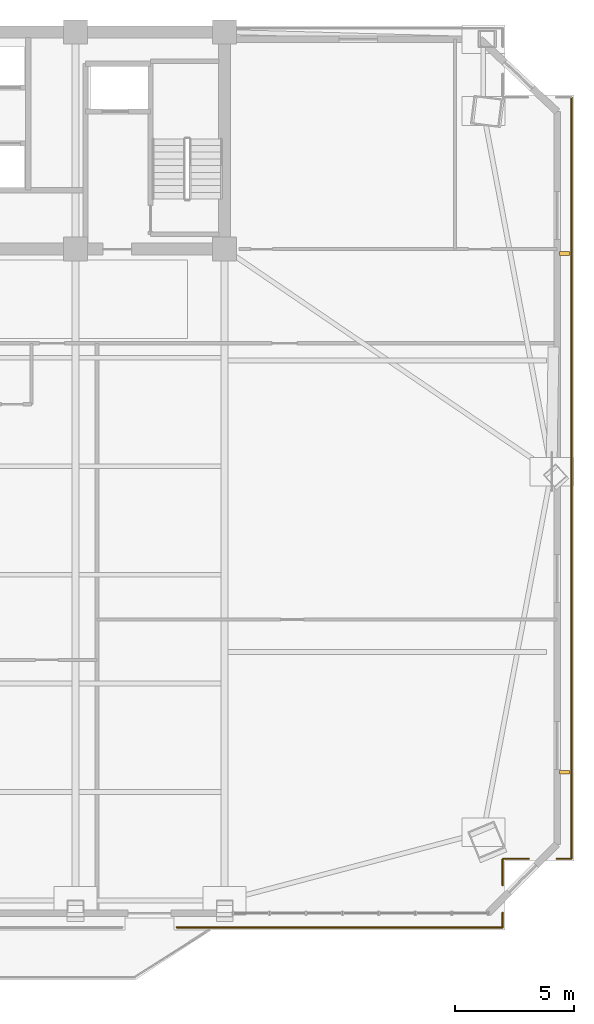
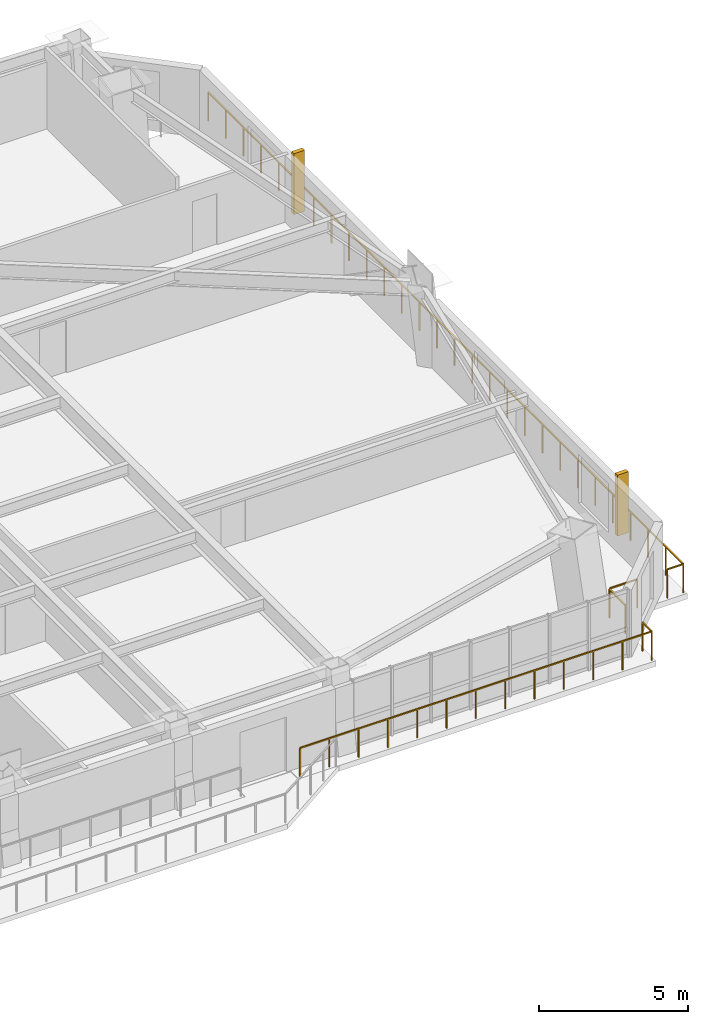
# One storey, part 13 of 15: 6 railings, 2 shading devices.
"""IFC4 building model written with IfcOpenShell, lengths in metres."""

from ifc_helpers import new_model, si_unit, direction, frame, origin, origin_2d, place, context, subcontext, project, spatial, rectangle, extrude, source, transform, mapped, material, type_object, element, save


model = new_model("IFC4")

# Units and contexts
model_context = context("Model", 3, precision=1e-05, world=origin(), true_north=direction((0.0, 1.0)))
body_context = subcontext(model_context, "Body", "Model", "MODEL_VIEW")
ifc_project = project(units=[si_unit("LENGTHUNIT", "METRE"), si_unit("AREAUNIT", "SQUARE_METRE"), si_unit("VOLUMEUNIT", "CUBIC_METRE"), si_unit("PLANEANGLEUNIT", "RADIAN"), si_unit("MASSUNIT", "GRAM", prefix="KILO")], contexts=[model_context])

# Site, building, storey
site_placement = place(None, origin())
site = spatial("IfcSite", under=ifc_project, at=site_placement, CompositionType="ELEMENT")
building_placement = place(site_placement, origin())
building = spatial("IfcBuilding", under=site, at=building_placement, Name="Giltprow Tower", CompositionType="ELEMENT")
storey_placement = place(building_placement, frame((0.0, 0.0, 177.199951171875)))
storey = spatial("IfcBuildingStorey", under=building, at=storey_placement, Name="L44", CompositionType="ELEMENT", Elevation=177.199951171875)

# Railings
ifc_material = material(Name="Anodized bronze", Category="metal")
railing_type = type_object("IfcRailingType", Name="RAIL-BALC-GUARD-1200", PredefinedType="BALUSTRADE", material=ifc_material)
railing_1_placement = place(storey_placement, frame((65.0810546875, 43.81298828125, 0.0)))
element("IfcRailing", 1, at=railing_1_placement, inside=storey, type_object=railing_type, Name="L44 Corner Apron Edge Balustrade 18", PredefinedType="BALUSTRADE", context=body_context, shape_type="SweptSolid", body=[
    extrude(rectangle(XDim=0.048095703125, YDim=0.048095703125, at=origin_2d()), frame((0.0, 0.0, 1.17578125), z_axis=(0.0, -1.0, 0.0), x_axis=(1.0, 0.0, 0.0)), (0.0, 0.0, 1.0), 31.89990234375),
    extrude(rectangle(XDim=0.0419921875, YDim=0.0419921875, at=origin_2d()), origin(), (0.0, 0.0, 1.0), 1.15185546875),
    extrude(rectangle(XDim=0.0419921875, YDim=0.0419921875, at=origin_2d()), frame((0.0, -1.181396484375, 0.0)), (0.0, 0.0, 1.0), 1.15185546875),
    extrude(rectangle(XDim=0.0419921875, YDim=0.0419921875, at=origin_2d()), frame((0.0, -2.363037109375, 0.0)), (0.0, 0.0, 1.0), 1.15185546875),
    extrude(rectangle(XDim=0.0419921875, YDim=0.0419921875, at=origin_2d()), frame((0.0, -3.54443359375, 0.0)), (0.0, 0.0, 1.0), 1.15185546875),
    extrude(rectangle(XDim=0.0419921875, YDim=0.0419921875, at=origin_2d()), frame((0.0, -4.725830078125, 0.0)), (0.0, 0.0, 1.0), 1.15185546875),
    extrude(rectangle(XDim=0.0419921875, YDim=0.0419921875, at=origin_2d()), frame((0.0, -5.907470703125, 0.0)), (0.0, 0.0, 1.0), 1.15185546875),
    extrude(rectangle(XDim=0.0419921875, YDim=0.0419921875, at=origin_2d()), frame((0.0, -7.0888671875, 0.0)), (0.0, 0.0, 1.0), 1.15185546875),
    extrude(rectangle(XDim=0.0419921875, YDim=0.0419921875, at=origin_2d()), frame((0.0, -8.270263671875, 0.0)), (0.0, 0.0, 1.0), 1.15185546875),
    extrude(rectangle(XDim=0.0419921875, YDim=0.0419921875, at=origin_2d()), frame((0.0, -9.451904296875, 0.0)), (0.0, 0.0, 1.0), 1.15185546875),
    extrude(rectangle(XDim=0.0419921875, YDim=0.0419921875, at=origin_2d()), frame((0.0, -10.63330078125, 0.0)), (0.0, 0.0, 1.0), 1.15185546875),
    extrude(rectangle(XDim=0.0419921875, YDim=0.0419921875, at=origin_2d()), frame((0.0, -11.814697265625, 0.0)), (0.0, 0.0, 1.0), 1.15185546875),
    extrude(rectangle(XDim=0.0419921875, YDim=0.0419921875, at=origin_2d()), frame((0.0, -12.996337890625, 0.0)), (0.0, 0.0, 1.0), 1.15185546875),
    extrude(rectangle(XDim=0.0419921875, YDim=0.0419921875, at=origin_2d()), frame((0.0, -14.177734375, 0.0)), (0.0, 0.0, 1.0), 1.15185546875),
    extrude(rectangle(XDim=0.0419921875, YDim=0.0419921875, at=origin_2d()), frame((0.0, -15.359130859375, 0.0)), (0.0, 0.0, 1.0), 1.15185546875),
    extrude(rectangle(XDim=0.0419921875, YDim=0.0419921875, at=origin_2d()), frame((0.0, -16.540771484375, 0.0)), (0.0, 0.0, 1.0), 1.15185546875),
    extrude(rectangle(XDim=0.0419921875, YDim=0.0419921875, at=origin_2d()), frame((0.0, -17.72216796875, 0.0)), (0.0, 0.0, 1.0), 1.15185546875),
    extrude(rectangle(XDim=0.0419921875, YDim=0.0419921875, at=origin_2d()), frame((0.0, -18.903564453125, 0.0)), (0.0, 0.0, 1.0), 1.15185546875),
    extrude(rectangle(XDim=0.0419921875, YDim=0.0419921875, at=origin_2d()), frame((0.0, -20.085205078125, 0.0)), (0.0, 0.0, 1.0), 1.15185546875),
    extrude(rectangle(XDim=0.0419921875, YDim=0.0419921875, at=origin_2d()), frame((0.0, -21.2666015625, 0.0)), (0.0, 0.0, 1.0), 1.15185546875),
    extrude(rectangle(XDim=0.0419921875, YDim=0.0419921875, at=origin_2d()), frame((0.0, -22.447998046875, 0.0)), (0.0, 0.0, 1.0), 1.15185546875),
    extrude(rectangle(XDim=0.0419921875, YDim=0.0419921875, at=origin_2d()), frame((0.0, -23.629638671875, 0.0)), (0.0, 0.0, 1.0), 1.15185546875),
    extrude(rectangle(XDim=0.0419921875, YDim=0.0419921875, at=origin_2d()), frame((0.0, -24.81103515625, 0.0)), (0.0, 0.0, 1.0), 1.15185546875),
    extrude(rectangle(XDim=0.0419921875, YDim=0.0419921875, at=origin_2d()), frame((0.0, -25.992431640625, 0.0)), (0.0, 0.0, 1.0), 1.15185546875),
    extrude(rectangle(XDim=0.0419921875, YDim=0.0419921875, at=origin_2d()), frame((0.0, -27.174072265625, 0.0)), (0.0, 0.0, 1.0), 1.15185546875),
    extrude(rectangle(XDim=0.0419921875, YDim=0.0419921875, at=origin_2d()), frame((0.0, -28.35546875, 0.0)), (0.0, 0.0, 1.0), 1.15185546875),
    extrude(rectangle(XDim=0.0419921875, YDim=0.0419921875, at=origin_2d()), frame((0.0, -29.536865234375, 0.0)), (0.0, 0.0, 1.0), 1.15185546875),
    extrude(rectangle(XDim=0.0419921875, YDim=0.0419921875, at=origin_2d()), frame((0.0, -30.718505859375, 0.0)), (0.0, 0.0, 1.0), 1.15185546875),
    extrude(rectangle(XDim=0.0419921875, YDim=0.0419921875, at=origin_2d()), frame((0.0, -31.89990234375, 0.0)), (0.0, 0.0, 1.0), 1.15185546875),
])
railing_2_placement = place(storey_placement, frame((65.0810546875, 11.9130859375, 0.0)))
element("IfcRailing", 2, at=railing_2_placement, inside=storey, type_object=railing_type, Name="L44 Corner Apron Edge Balustrade 19", PredefinedType="BALUSTRADE", context=body_context, shape_type="SweptSolid", body=[
    extrude(rectangle(XDim=0.048095703125, YDim=0.048095703125, at=origin_2d()), frame((0.0, 0.0, 1.17578125), z_axis=(-1.0, 0.0, 0.0), x_axis=(0.0, -1.0, 0.0)), (0.0, 0.0, 1.0), 0.6201171875),
    extrude(rectangle(XDim=0.0419921875, YDim=0.0419921875, at=origin_2d()), origin(), (0.0, 0.0, 1.0), 1.15185546875),
    extrude(rectangle(XDim=0.0419921875, YDim=0.0419921875, at=origin_2d()), frame((-0.6201171875, 0.0, 0.0)), (0.0, 0.0, 1.0), 1.15185546875),
])
railing_3_placement = place(storey_placement, frame((63.301025390625, 11.9130859375, 0.0)))
element("IfcRailing", 3, at=railing_3_placement, inside=storey, type_object=railing_type, Name="L44 Corner Apron Edge Balustrade 20", PredefinedType="BALUSTRADE", context=body_context, shape_type="SweptSolid", body=[
    extrude(rectangle(XDim=0.048095703125, YDim=0.048095703125, at=origin_2d()), frame((0.0, 0.0, 1.17578125), z_axis=(-1.0, 0.0, 0.0), x_axis=(0.0, -1.0, 0.0)), (0.0, 0.0, 1.0), 1.072021484375),
    extrude(rectangle(XDim=0.0419921875, YDim=0.0419921875, at=origin_2d()), origin(), (0.0, 0.0, 1.0), 1.15185546875),
    extrude(rectangle(XDim=0.0419921875, YDim=0.0419921875, at=origin_2d()), frame((-1.072021484375, 0.0, 0.0)), (0.0, 0.0, 1.0), 1.15185546875),
])
railing_4_placement = place(storey_placement, frame((62.194091796875, 11.8779296875, 0.0)))
element("IfcRailing", 4, at=railing_4_placement, inside=storey, type_object=railing_type, Name="L44 Corner Apron Edge Balustrade 21", PredefinedType="BALUSTRADE", context=body_context, shape_type="SweptSolid", body=[
    extrude(rectangle(XDim=0.048095703125, YDim=0.048095703125, at=origin_2d()), frame((0.0, 0.0, 1.17578125), z_axis=(0.0, -1.0, 0.0), x_axis=(1.0, 0.0, 0.0)), (0.0, 0.0, 1.0), 1.072021484375),
    extrude(rectangle(XDim=0.0419921875, YDim=0.0419921875, at=origin_2d()), origin(), (0.0, 0.0, 1.0), 1.15185546875),
    extrude(rectangle(XDim=0.0419921875, YDim=0.0419921875, at=origin_2d()), frame((0.0, -1.072021484375, 0.0)), (0.0, 0.0, 1.0), 1.15185546875),
])
railing_5_placement = place(storey_placement, frame((62.194091796875, 9.64599609375, 0.0)))
element("IfcRailing", 5, at=railing_5_placement, inside=storey, type_object=railing_type, Name="L44 Corner Apron Edge Balustrade 22", PredefinedType="BALUSTRADE", context=body_context, shape_type="SweptSolid", body=[
    extrude(rectangle(XDim=0.048095703125, YDim=0.048095703125, at=origin_2d()), frame((0.0, 0.0, 1.17578125), z_axis=(0.0, -1.0, 0.0), x_axis=(1.0, 0.0, 0.0)), (0.0, 0.0, 1.0), 0.6201171875),
    extrude(rectangle(XDim=0.0419921875, YDim=0.0419921875, at=origin_2d()), origin(), (0.0, 0.0, 1.0), 1.15185546875),
    extrude(rectangle(XDim=0.0419921875, YDim=0.0419921875, at=origin_2d()), frame((0.0, -0.6201171875, 0.0)), (0.0, 0.0, 1.0), 1.15185546875),
])
railing_6_placement = place(storey_placement, frame((62.194091796875, 9.02587890625, 0.0)))
element("IfcRailing", 6, at=railing_6_placement, inside=storey, type_object=railing_type, Name="L44 Corner Apron Edge Balustrade 23", PredefinedType="BALUSTRADE", context=body_context, shape_type="SweptSolid", body=[
    extrude(rectangle(XDim=0.048095703125, YDim=0.048095703125, at=origin_2d()), frame((0.0, 0.0, 1.17578125), z_axis=(-1.0, 0.0, 0.0), x_axis=(0.0, -1.0, 0.0)), (0.0, 0.0, 1.0), 13.64404296875),
    extrude(rectangle(XDim=0.0419921875, YDim=0.0419921875, at=origin_2d()), origin(), (0.0, 0.0, 1.0), 1.15185546875),
    extrude(rectangle(XDim=0.0419921875, YDim=0.0419921875, at=origin_2d()), frame((-1.136962890625, 0.0, 0.0)), (0.0, 0.0, 1.0), 1.15185546875),
    extrude(rectangle(XDim=0.0419921875, YDim=0.0419921875, at=origin_2d()), frame((-2.27392578125, 0.0, 0.0)), (0.0, 0.0, 1.0), 1.15185546875),
    extrude(rectangle(XDim=0.0419921875, YDim=0.0419921875, at=origin_2d()), frame((-3.4111328125, 0.0, 0.0)), (0.0, 0.0, 1.0), 1.15185546875),
    extrude(rectangle(XDim=0.0419921875, YDim=0.0419921875, at=origin_2d()), frame((-4.548095703125, 0.0, 0.0)), (0.0, 0.0, 1.0), 1.15185546875),
    extrude(rectangle(XDim=0.0419921875, YDim=0.0419921875, at=origin_2d()), frame((-5.68505859375, 0.0, 0.0)), (0.0, 0.0, 1.0), 1.15185546875),
    extrude(rectangle(XDim=0.0419921875, YDim=0.0419921875, at=origin_2d()), frame((-6.822021484375, 0.0, 0.0)), (0.0, 0.0, 1.0), 1.15185546875),
    extrude(rectangle(XDim=0.0419921875, YDim=0.0419921875, at=origin_2d()), frame((-7.958984375, 0.0, 0.0)), (0.0, 0.0, 1.0), 1.15185546875),
    extrude(rectangle(XDim=0.0419921875, YDim=0.0419921875, at=origin_2d()), frame((-9.095947265625, 0.0, 0.0)), (0.0, 0.0, 1.0), 1.15185546875),
    extrude(rectangle(XDim=0.0419921875, YDim=0.0419921875, at=origin_2d()), frame((-10.23291015625, 0.0, 0.0)), (0.0, 0.0, 1.0), 1.15185546875),
    extrude(rectangle(XDim=0.0419921875, YDim=0.0419921875, at=origin_2d()), frame((-11.3701171875, 0.0, 0.0)), (0.0, 0.0, 1.0), 1.15185546875),
    extrude(rectangle(XDim=0.0419921875, YDim=0.0419921875, at=origin_2d()), frame((-12.507080078125, 0.0, 0.0)), (0.0, 0.0, 1.0), 1.15185546875),
    extrude(rectangle(XDim=0.0419921875, YDim=0.0419921875, at=origin_2d()), frame((-13.64404296875, 0.0, 0.0)), (0.0, 0.0, 1.0), 1.15185546875),
])

# Shading devices
shading_device_type = type_object("IfcShadingDeviceType", Name="SHD-FIN-420", PredefinedType="USERDEFINED", material=ifc_material)
shared_shape = source(origin(), body_context, "Body", "SweptSolid", [
    extrude(rectangle(XDim=0.419921875, YDim=0.159912109375, at=origin_2d()), origin(), (0.0, 0.0, 1.0), 2.5),
])
for number, where, z_axis, x_axis, name in (
    (7, (64.781005859375, 15.532958984375, 0.35009765625), (0.0, 0.0, 1.0), (1.0, 0.0, 0.0), "L44 E Bronze Vertical Fin 1-1"),
    (8, (64.781005859375, 37.264892578125, 0.35009765625), (0.0, 0.0, 1.0), (1.0, 0.0, 0.0), "L44 E Bronze Vertical Fin 2-1"),
):
    element("IfcShadingDevice", number, at=place(storey_placement, frame(where, z_axis=z_axis, x_axis=x_axis)), inside=storey, type_object=shading_device_type, Name=name, ObjectType="FIN", PredefinedType="USERDEFINED", context=body_context, shape_type="MappedRepresentation", body=[
        mapped(shared_shape, transform((0.0, 0.0, 0.0), x_axis=(1.0, 0.0, 0.0), y_axis=(0.0, 1.0, 0.0), z_axis=(0.0, 0.0, 1.0), scale=1.0)),
    ])

save(model, "model.ifc")
